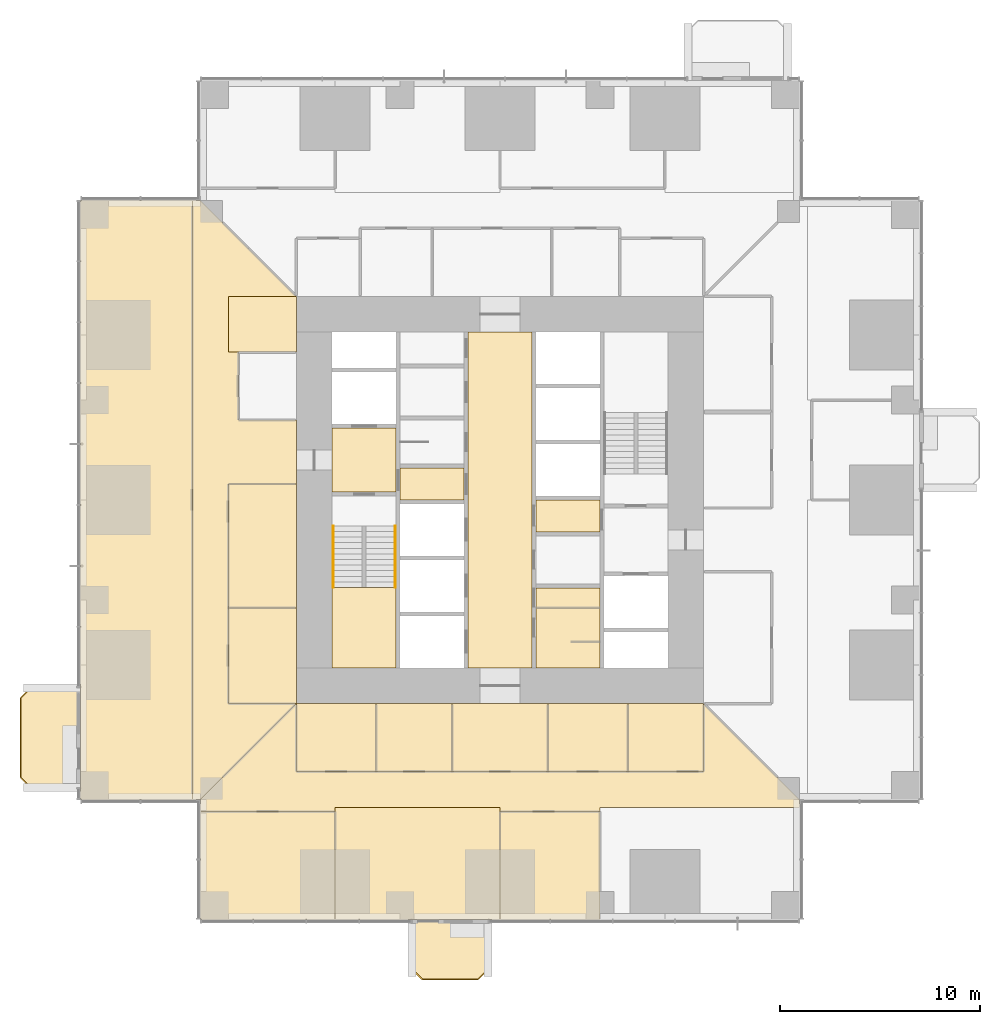
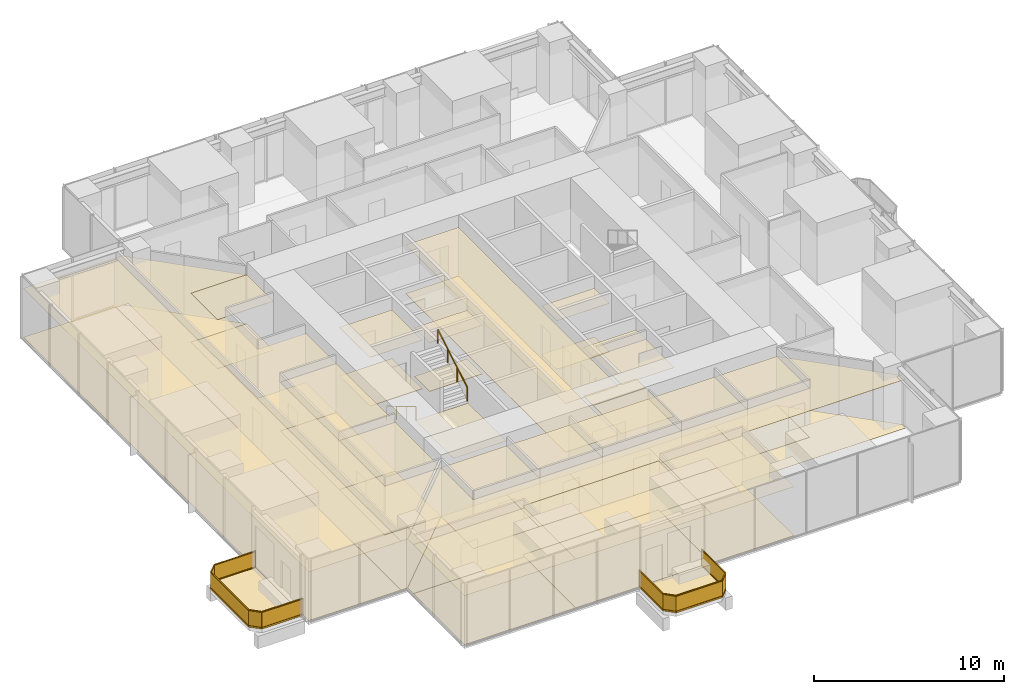
# One storey, part 15 of 18: 43 coverings, 4 railings.
"""IFC4 building model written with IfcOpenShell, lengths in metres."""

from ifc_helpers import new_model, si_unit, direction, frame, origin, origin_2d, place, context, subcontext, project, spatial, polyline, rectangle, circle, outline, extrude, material, layer, layer_set, type_object, element, save


model = new_model("IFC4")

# Units and contexts
model_context = context("Model", 3, precision=1e-05, world=origin(), true_north=direction((0.0, 1.0)))
body_context = subcontext(model_context, "Body", "Model", "MODEL_VIEW")
ifc_project = project(units=[si_unit("LENGTHUNIT", "METRE"), si_unit("AREAUNIT", "SQUARE_METRE"), si_unit("VOLUMEUNIT", "CUBIC_METRE"), si_unit("PLANEANGLEUNIT", "RADIAN"), si_unit("MASSUNIT", "GRAM", prefix="KILO")], contexts=[model_context])

# Site, building, storey
site_placement = place(None, origin())
site = spatial("IfcSite", under=ifc_project, at=site_placement, CompositionType="ELEMENT")
building_placement = place(site_placement, origin())
building = spatial("IfcBuilding", under=site, at=building_placement, Name="Svetlomir Tower", CompositionType="ELEMENT")
storey_placement = place(building_placement, frame((0.0, 0.0, 46.5)))
storey = spatial("IfcBuildingStorey", under=building, at=storey_placement, Name="L10", CompositionType="ELEMENT", Elevation=46.5)

# Railings
ifc_material_1 = material(Name="Bronze anodised aluminium and laminated glass", Category="aluminium")
railing_type_1 = type_object("IfcRailingType", Name="BALCONY GUARD GR1 1100", PredefinedType="GUARDRAIL", material=ifc_material_1)
railing_1_placement = place(storey_placement, frame((16.60009765625, 0.0, 0.0)))
element("IfcRailing", 1, at=railing_1_placement, inside=storey, type_object=railing_type_1, Name="Balcony guard S L10", PredefinedType="GUARDRAIL", context=body_context, shape_type="SweptSolid", body=[
    extrude(rectangle(XDim=0.06005859375, YDim=0.10009765625, at=origin_2d()), frame((0.0, 0.0, 0.050048828125), z_axis=(0.0, -1.0, 0.0), x_axis=(1.0, 0.0, 0.0)), (0.0, 0.0, 1.0), 2.5),
    extrude(rectangle(XDim=0.021484375, YDim=0.960205078125, at=origin_2d()), frame((0.0, 0.0, 0.580078125), z_axis=(0.0, -1.0, 0.0), x_axis=(1.0, 0.0, 0.0)), (0.0, 0.0, 1.0), 2.5),
    extrude(rectangle(XDim=0.06005859375, YDim=0.0400390625, at=origin_2d()), frame((0.0, 0.0, 1.080078125), z_axis=(0.0, -1.0, 0.0), x_axis=(1.0, 0.0, 0.0)), (0.0, 0.0, 1.0), 2.5),
    extrude(rectangle(XDim=0.06005859375, YDim=0.10009765625, at=origin_2d()), frame((0.0, -2.5, 0.050048828125), z_axis=(0.707106781187, -0.707106781187, 0.0), x_axis=(0.707106781187, 0.707106781187, 0.0)), (0.0, 0.0, 1.0), 0.70703125),
    extrude(rectangle(XDim=0.021484375, YDim=0.960205078125, at=origin_2d()), frame((0.0, -2.5, 0.580078125), z_axis=(0.707106781187, -0.707106781187, 0.0), x_axis=(0.707106781187, 0.707106781187, 0.0)), (0.0, 0.0, 1.0), 0.70703125),
    extrude(rectangle(XDim=0.06005859375, YDim=0.0400390625, at=origin_2d()), frame((0.0, -2.5, 1.080078125), z_axis=(0.707106781187, -0.707106781187, 0.0), x_axis=(0.707106781187, 0.707106781187, 0.0)), (0.0, 0.0, 1.0), 0.70703125),
    extrude(rectangle(XDim=0.06005859375, YDim=0.10009765625, at=origin_2d()), frame((0.5, -3.0, 0.050048828125), z_axis=(1.0, 0.0, 0.0), x_axis=(0.0, 1.0, 0.0)), (0.0, 0.0, 1.0), 2.7998046875),
    extrude(rectangle(XDim=0.021484375, YDim=0.960205078125, at=origin_2d()), frame((0.5, -3.0, 0.580078125), z_axis=(1.0, 0.0, 0.0), x_axis=(0.0, 1.0, 0.0)), (0.0, 0.0, 1.0), 2.7998046875),
    extrude(rectangle(XDim=0.06005859375, YDim=0.0400390625, at=origin_2d()), frame((0.5, -3.0, 1.080078125), z_axis=(1.0, 0.0, 0.0), x_axis=(0.0, 1.0, 0.0)), (0.0, 0.0, 1.0), 2.7998046875),
    extrude(rectangle(XDim=0.06005859375, YDim=0.10009765625, at=origin_2d()), frame((3.2998046875, -3.0, 0.050048828125), z_axis=(0.707106781187, 0.707106781187, 0.0), x_axis=(-0.707106781187, 0.707106781187, 0.0)), (0.0, 0.0, 1.0), 0.70703125),
    extrude(rectangle(XDim=0.021484375, YDim=0.960205078125, at=origin_2d()), frame((3.2998046875, -3.0, 0.580078125), z_axis=(0.707106781187, 0.707106781187, 0.0), x_axis=(-0.707106781187, 0.707106781187, 0.0)), (0.0, 0.0, 1.0), 0.70703125),
    extrude(rectangle(XDim=0.06005859375, YDim=0.0400390625, at=origin_2d()), frame((3.2998046875, -3.0, 1.080078125), z_axis=(0.707106781187, 0.707106781187, 0.0), x_axis=(-0.707106781187, 0.707106781187, 0.0)), (0.0, 0.0, 1.0), 0.70703125),
    extrude(rectangle(XDim=0.06005859375, YDim=0.10009765625, at=origin_2d()), frame((3.7998046875, -2.5, 0.050048828125), z_axis=(0.0, 1.0, 0.0), x_axis=(-1.0, 0.0, 0.0)), (0.0, 0.0, 1.0), 2.5),
    extrude(rectangle(XDim=0.021484375, YDim=0.960205078125, at=origin_2d()), frame((3.7998046875, -2.5, 0.580078125), z_axis=(0.0, 1.0, 0.0), x_axis=(-1.0, 0.0, 0.0)), (0.0, 0.0, 1.0), 2.5),
    extrude(rectangle(XDim=0.06005859375, YDim=0.0400390625, at=origin_2d()), frame((3.7998046875, -2.5, 1.080078125), z_axis=(0.0, 1.0, 0.0), x_axis=(-1.0, 0.0, 0.0)), (0.0, 0.0, 1.0), 2.5),
])
railing_2_placement = place(storey_placement, frame((0.0, 11.60009765625, 0.0)))
element("IfcRailing", 2, at=railing_2_placement, inside=storey, type_object=railing_type_1, Name="Balcony guard W L10", PredefinedType="GUARDRAIL", context=body_context, shape_type="SweptSolid", body=[
    extrude(rectangle(XDim=0.06005859375, YDim=0.10009765625, at=origin_2d()), frame((0.0, 0.0, 0.050048828125), z_axis=(-1.0, 0.0, 0.0), x_axis=(0.0, -1.0, 0.0)), (0.0, 0.0, 1.0), 2.5),
    extrude(rectangle(XDim=0.021484375, YDim=0.960205078125, at=origin_2d()), frame((0.0, 0.0, 0.580078125), z_axis=(-1.0, 0.0, 0.0), x_axis=(0.0, -1.0, 0.0)), (0.0, 0.0, 1.0), 2.5),
    extrude(rectangle(XDim=0.06005859375, YDim=0.0400390625, at=origin_2d()), frame((0.0, 0.0, 1.080078125), z_axis=(-1.0, 0.0, 0.0), x_axis=(0.0, -1.0, 0.0)), (0.0, 0.0, 1.0), 2.5),
    extrude(rectangle(XDim=0.06005859375, YDim=0.10009765625, at=origin_2d()), frame((-2.5, 0.0, 0.050048828125), z_axis=(-0.707106781187, -0.707106781187, 0.0), x_axis=(0.707106781187, -0.707106781187, 0.0)), (0.0, 0.0, 1.0), 0.70703125),
    extrude(rectangle(XDim=0.021484375, YDim=0.960205078125, at=origin_2d()), frame((-2.5, 0.0, 0.580078125), z_axis=(-0.707106781187, -0.707106781187, 0.0), x_axis=(0.707106781187, -0.707106781187, 0.0)), (0.0, 0.0, 1.0), 0.70703125),
    extrude(rectangle(XDim=0.06005859375, YDim=0.0400390625, at=origin_2d()), frame((-2.5, 0.0, 1.080078125), z_axis=(-0.707106781187, -0.707106781187, 0.0), x_axis=(0.707106781187, -0.707106781187, 0.0)), (0.0, 0.0, 1.0), 0.70703125),
    extrude(rectangle(XDim=0.06005859375, YDim=0.10009765625, at=origin_2d()), frame((-3.0, -0.5, 0.050048828125), z_axis=(0.0, -1.0, 0.0), x_axis=(1.0, 0.0, 0.0)), (0.0, 0.0, 1.0), 4.0),
    extrude(rectangle(XDim=0.021484375, YDim=0.960205078125, at=origin_2d()), frame((-3.0, -0.5, 0.580078125), z_axis=(0.0, -1.0, 0.0), x_axis=(1.0, 0.0, 0.0)), (0.0, 0.0, 1.0), 4.0),
    extrude(rectangle(XDim=0.06005859375, YDim=0.0400390625, at=origin_2d()), frame((-3.0, -0.5, 1.080078125), z_axis=(0.0, -1.0, 0.0), x_axis=(1.0, 0.0, 0.0)), (0.0, 0.0, 1.0), 4.0),
    extrude(rectangle(XDim=0.06005859375, YDim=0.10009765625, at=origin_2d()), frame((-3.0, -4.5, 0.050048828125), z_axis=(0.707106781187, -0.707106781187, 0.0), x_axis=(0.707106781187, 0.707106781187, 0.0)), (0.0, 0.0, 1.0), 0.70703125),
    extrude(rectangle(XDim=0.021484375, YDim=0.960205078125, at=origin_2d()), frame((-3.0, -4.5, 0.580078125), z_axis=(0.707106781187, -0.707106781187, 0.0), x_axis=(0.707106781187, 0.707106781187, 0.0)), (0.0, 0.0, 1.0), 0.70703125),
    extrude(rectangle(XDim=0.06005859375, YDim=0.0400390625, at=origin_2d()), frame((-3.0, -4.5, 1.080078125), z_axis=(0.707106781187, -0.707106781187, 0.0), x_axis=(0.707106781187, 0.707106781187, 0.0)), (0.0, 0.0, 1.0), 0.70703125),
    extrude(rectangle(XDim=0.06005859375, YDim=0.10009765625, at=origin_2d()), frame((-2.5, -5.0, 0.050048828125), z_axis=(1.0, 0.0, 0.0), x_axis=(0.0, 1.0, 0.0)), (0.0, 0.0, 1.0), 2.5),
    extrude(rectangle(XDim=0.021484375, YDim=0.960205078125, at=origin_2d()), frame((-2.5, -5.0, 0.580078125), z_axis=(1.0, 0.0, 0.0), x_axis=(0.0, 1.0, 0.0)), (0.0, 0.0, 1.0), 2.5),
    extrude(rectangle(XDim=0.06005859375, YDim=0.0400390625, at=origin_2d()), frame((-2.5, -5.0, 1.080078125), z_axis=(1.0, 0.0, 0.0), x_axis=(0.0, 1.0, 0.0)), (0.0, 0.0, 1.0), 2.5),
])

# Coverings
ifc_material_2 = material(Name="Granite paving slabs on pedestals", Category="masonry")
ifc_layer_1 = layer(ifc_material_2, 0.0400390625)
ifc_layer_set_1 = layer_set([ifc_layer_1], Name="Granite paving slabs on pedestals")
covering_type_1 = type_object("IfcCoveringType", Name="BALCONY PAVING 40", PredefinedType="USERDEFINED", material=ifc_layer_set_1)
covering_1_placement = place(storey_placement, origin())
element("IfcCovering", 3, at=covering_1_placement, inside=storey, type_object=covering_type_1, Name="Balcony paving S L10", ObjectType="BALCONY PAVING", PredefinedType="USERDEFINED", context=body_context, shape_type="SweptSolid", body=[
    extrude(outline(polyline([(16.60009765625, -2.5), (17.10009765625, -3.0), (19.89990234375, -3.0), (20.39990234375, -2.5), (20.39990234375, 0.0), (16.60009765625, 0.0), (16.60009765625, -2.5)])), origin(), (0.0, 0.0, 1.0), 0.0400390625),
])
covering_2_placement = place(storey_placement, origin())
element("IfcCovering", 4, at=covering_2_placement, inside=storey, type_object=covering_type_1, Name="Balcony paving W L10", ObjectType="BALCONY PAVING", PredefinedType="USERDEFINED", context=body_context, shape_type="SweptSolid", body=[
    extrude(outline(polyline([(-2.5, 6.60009765625), (0.0, 6.60009765625), (0.0, 11.60009765625), (-2.5, 11.60009765625), (-3.0, 11.10009765625), (-3.0, 7.10009765625), (-2.5, 6.60009765625)])), origin(), (0.0, 0.0, 1.0), 0.0400390625),
])
ifc_material_3 = material(Name="Carpet tile", Category="textile")
ifc_layer_2 = layer(ifc_material_3, 0.010009765625)
ifc_layer_set_2 = layer_set([ifc_layer_2], Name="Carpet tile")
covering_type_2 = type_object("IfcCoveringType", Name="CARPET TILE FLOOR 10", PredefinedType="FLOORING", material=ifc_layer_set_2)
covering_3_placement = place(storey_placement, origin())
element("IfcCovering", 5, at=covering_3_placement, inside=storey, type_object=covering_type_2, Name="Floor finish L10-14", PredefinedType="FLOORING", context=body_context, shape_type="SweptSolid", body=[
    extrude(outline(polyline([(10.800048828125, 7.39990234375), (14.800048828125, 7.39990234375), (14.800048828125, 10.800048828125), (10.800048828125, 10.800048828125), (10.800048828125, 7.39990234375)])), origin(), (0.0, 0.0, 1.0), 0.010009765625),
])
covering_4_placement = place(storey_placement, origin())
element("IfcCovering", 6, at=covering_4_placement, inside=storey, type_object=covering_type_2, Name="Floor finish L10-15", PredefinedType="FLOORING", context=body_context, shape_type="SweptSolid", body=[
    extrude(outline(polyline([(14.800048828125, 7.39990234375), (18.60009765625, 7.39990234375), (18.60009765625, 10.800048828125), (14.800048828125, 10.800048828125), (14.800048828125, 7.39990234375)])), origin(), (0.0, 0.0, 1.0), 0.010009765625),
])
covering_5_placement = place(storey_placement, origin())
element("IfcCovering", 7, at=covering_5_placement, inside=storey, type_object=covering_type_2, Name="Floor finish L10-16", PredefinedType="FLOORING", context=body_context, shape_type="SweptSolid", body=[
    extrude(outline(polyline([(23.39990234375, 7.39990234375), (27.39990234375, 7.39990234375), (27.39990234375, 10.800048828125), (23.39990234375, 10.800048828125), (23.39990234375, 7.39990234375)])), origin(), (0.0, 0.0, 1.0), 0.010009765625),
])
covering_6_placement = place(storey_placement, origin())
element("IfcCovering", 8, at=covering_6_placement, inside=storey, type_object=covering_type_2, Name="Floor finish L10-17", PredefinedType="FLOORING", context=body_context, shape_type="SweptSolid", body=[
    extrude(outline(polyline([(6.0, 0.0), (12.75, 0.0), (12.75, 5.39990234375), (6.0, 5.39990234375), (6.0, 0.0)])), origin(), (0.0, 0.0, 1.0), 0.010009765625),
])
covering_7_placement = place(storey_placement, origin())
element("IfcCovering", 9, at=covering_7_placement, inside=storey, type_object=covering_type_2, Name="Floor finish L10-18", PredefinedType="FLOORING", context=body_context, shape_type="SweptSolid", body=[
    extrude(outline(polyline([(21.0, 0.0), (26.0, 0.0), (26.0, 5.39990234375), (21.0, 5.39990234375), (21.0, 0.0)])), origin(), (0.0, 0.0, 1.0), 0.010009765625),
])
covering_8_placement = place(storey_placement, origin())
element("IfcCovering", 10, at=covering_8_placement, inside=storey, type_object=covering_type_2, Name="Floor finish L10-29", PredefinedType="FLOORING", context=body_context, shape_type="SweptSolid", body=[
    extrude(outline(polyline([(7.39990234375, 10.800048828125), (10.800048828125, 10.800048828125), (10.800048828125, 15.60009765625), (7.39990234375, 15.60009765625), (7.39990234375, 10.800048828125)])), origin(), (0.0, 0.0, 1.0), 0.010009765625),
])
covering_9_placement = place(storey_placement, origin())
element("IfcCovering", 11, at=covering_9_placement, inside=storey, type_object=covering_type_2, Name="Floor finish L10-31", PredefinedType="FLOORING", context=body_context, shape_type="SweptSolid", body=[
    extrude(outline(polyline([(6.0, 6.0), (10.800048828125, 10.800048828125), (10.800048828125, 7.39990234375), (31.199951171875, 7.39990234375), (31.199951171875, 10.800048828125), (36.0, 6.0), (36.0, 5.60009765625), (26.0, 5.60009765625), (26.0, 5.39990234375), (21.0, 5.39990234375), (21.0, 5.60009765625), (12.75, 5.60009765625), (12.75, 5.39990234375), (6.0, 5.39990234375), (6.0, 6.0)])), origin(), (0.0, 0.0, 1.0), 0.010009765625),
])
covering_10_placement = place(storey_placement, origin())
element("IfcCovering", 12, at=covering_10_placement, inside=storey, type_object=covering_type_2, Name="Floor finish L10-34", PredefinedType="FLOORING", context=body_context, shape_type="SweptSolid", body=[
    extrude(outline(polyline([(5.60009765625, 6.0), (5.60009765625, 36.0), (6.0, 36.0), (10.800048828125, 31.199951171875), (7.39990234375, 31.199951171875), (7.39990234375, 28.39990234375), (7.89990234375, 28.39990234375), (7.89990234375, 25.0), (10.800048828125, 25.0), (10.800048828125, 21.800048828125), (7.39990234375, 21.800048828125), (7.39990234375, 10.800048828125), (10.800048828125, 10.800048828125), (6.0, 6.0), (5.60009765625, 6.0)])), origin(), (0.0, 0.0, 1.0), 0.010009765625),
])
covering_11_placement = place(storey_placement, origin())
element("IfcCovering", 13, at=covering_11_placement, inside=storey, type_object=covering_type_2, Name="Floor finish L10-35", PredefinedType="FLOORING", context=body_context, shape_type="SweptSolid", body=[
    extrude(outline(polyline([(12.75, 5.60009765625), (21.0, 5.60009765625), (21.0, 0.0), (12.75, 0.0), (12.75, 5.60009765625)])), origin(), (0.0, 0.0, 1.0), 0.010009765625),
])
covering_12_placement = place(storey_placement, origin())
element("IfcCovering", 14, at=covering_12_placement, inside=storey, type_object=covering_type_2, Name="Floor finish L10-37", PredefinedType="FLOORING", context=body_context, shape_type="SweptSolid", body=[
    extrude(outline(polyline([(23.39990234375, 10.800048828125), (23.39990234375, 7.39990234375), (18.60009765625, 7.39990234375), (18.60009765625, 10.800048828125), (23.39990234375, 10.800048828125)])), origin(), (0.0, 0.0, 1.0), 0.010009765625),
])
covering_13_placement = place(storey_placement, origin())
element("IfcCovering", 15, at=covering_13_placement, inside=storey, type_object=covering_type_2, Name="Floor finish L10-38", PredefinedType="FLOORING", context=body_context, shape_type="SweptSolid", body=[
    extrude(outline(polyline([(31.199951171875, 10.800048828125), (31.199951171875, 7.39990234375), (27.39990234375, 7.39990234375), (27.39990234375, 10.800048828125), (31.199951171875, 10.800048828125)])), origin(), (0.0, 0.0, 1.0), 0.010009765625),
])
covering_14_placement = place(storey_placement, origin())
element("IfcCovering", 16, at=covering_14_placement, inside=storey, type_object=covering_type_2, Name="Floor finish L10-44", PredefinedType="FLOORING", context=body_context, shape_type="SweptSolid", body=[
    extrude(outline(polyline([(0.0, 36.0), (5.60009765625, 36.0), (5.60009765625, 6.0), (0.0, 6.0), (0.0, 36.0)])), origin(), (0.0, 0.0, 1.0), 0.010009765625),
])
covering_15_placement = place(storey_placement, origin())
element("IfcCovering", 17, at=covering_15_placement, inside=storey, type_object=covering_type_2, Name="Floor finish L10-45", PredefinedType="FLOORING", context=body_context, shape_type="SweptSolid", body=[
    extrude(outline(polyline([(7.39990234375, 28.39990234375), (7.39990234375, 31.199951171875), (10.800048828125, 31.199951171875), (10.800048828125, 28.39990234375), (7.39990234375, 28.39990234375)])), origin(), (0.0, 0.0, 1.0), 0.010009765625),
])
covering_16_placement = place(storey_placement, origin())
element("IfcCovering", 18, at=covering_16_placement, inside=storey, type_object=covering_type_2, Name="Floor finish L10-46", PredefinedType="FLOORING", context=body_context, shape_type="SweptSolid", body=[
    extrude(outline(polyline([(7.39990234375, 15.60009765625), (7.39990234375, 21.800048828125), (10.800048828125, 21.800048828125), (10.800048828125, 15.60009765625), (7.39990234375, 15.60009765625)])), origin(), (0.0, 0.0, 1.0), 0.010009765625),
])
ifc_material_4 = material(Name="Ceramic floor tile", Category="ceramic")
ifc_layer_3 = layer(ifc_material_4, 0.014892578125)
ifc_layer_set_3 = layer_set([ifc_layer_3], Name="Ceramic floor tile")
covering_type_3 = type_object("IfcCoveringType", Name="CERAMIC TILE FLOOR 15", PredefinedType="FLOORING", material=ifc_layer_set_3)
covering_17_placement = place(storey_placement, origin())
element("IfcCovering", 19, at=covering_17_placement, inside=storey, type_object=covering_type_3, Name="Floor finish L10-08", PredefinedType="FLOORING", context=body_context, shape_type="SweptSolid", body=[
    extrude(outline(polyline([(22.800048828125, 15.60009765625), (26.0, 15.60009765625), (26.0, 16.60009765625), (22.800048828125, 16.60009765625), (22.800048828125, 15.60009765625)])), origin(), (0.0, 0.0, 1.0), 0.014892578125),
])
covering_18_placement = place(storey_placement, origin())
element("IfcCovering", 20, at=covering_18_placement, inside=storey, type_object=covering_type_3, Name="Floor finish L10-09", PredefinedType="FLOORING", context=body_context, shape_type="SweptSolid", body=[
    extrude(outline(polyline([(22.800048828125, 12.60009765625), (26.0, 12.60009765625), (26.0, 15.60009765625), (22.800048828125, 15.60009765625), (22.800048828125, 12.60009765625)])), origin(), (0.0, 0.0, 1.0), 0.014892578125),
])

# Railings
ifc_material_5 = material(Name="Stainless steel", Category="steel")
railing_type_2 = type_object("IfcRailingType", Name="HANDRAIL HR1 900", PredefinedType="HANDRAIL", material=ifc_material_5)
railing_3_placement = place(storey_placement, frame((12.64990234375, 19.699951171875, 0.166748046875)))
element("IfcRailing", 21, at=railing_3_placement, inside=storey, type_object=railing_type_2, Name="Handrail S1 flight 1 L10", PredefinedType="HANDRAIL", context=body_context, shape_type="SweptSolid", body=[
    extrude(circle(Radius=0.02392578125, at=origin_2d()), frame((0.0, 0.0, 0.8759765625), z_axis=(0.0, -0.859290745958, 0.51148745235), x_axis=(1.0, 0.0, 0.0)), (0.0, 0.0, 1.0), 3.584228515625),
    extrude(circle(Radius=0.02099609375, at=origin_2d()), origin(), (0.0, 0.0, 1.0), 0.851806640625),
    extrude(circle(Radius=0.02099609375, at=origin_2d()), frame((0.0, -1.026611328125, 0.611083984375)), (0.0, 0.0, 1.0), 0.851806640625),
    extrude(circle(Radius=0.02099609375, at=origin_2d()), frame((0.0, -2.05322265625, 1.22216796875)), (0.0, 0.0, 1.0), 0.851806640625),
    extrude(circle(Radius=0.02099609375, at=origin_2d()), frame((0.0, -3.079833984375, 1.833251953125)), (0.0, 0.0, 1.0), 0.851806640625),
])
railing_4_placement = place(storey_placement, frame((15.75, 16.6201171875, 2.166748046875)))
element("IfcRailing", 22, at=railing_4_placement, inside=storey, type_object=railing_type_2, Name="Handrail S1 flight 2 L10", PredefinedType="HANDRAIL", context=body_context, shape_type="SweptSolid", body=[
    extrude(circle(Radius=0.02392578125, at=origin_2d()), frame((0.0, 0.0, 0.8759765625), z_axis=(0.0, 0.859290745958, 0.51148745235), x_axis=(-1.0, 0.0, 0.0)), (0.0, 0.0, 1.0), 3.584228515625),
    extrude(circle(Radius=0.02099609375, at=origin_2d()), origin(), (0.0, 0.0, 1.0), 0.851806640625),
    extrude(circle(Radius=0.02099609375, at=origin_2d()), frame((0.0, 1.026611328125, 0.611083984375)), (0.0, 0.0, 1.0), 0.851806640625),
    extrude(circle(Radius=0.02099609375, at=origin_2d()), frame((0.0, 2.05322265625, 1.22216796875)), (0.0, 0.0, 1.0), 0.851806640625),
    extrude(circle(Radius=0.02099609375, at=origin_2d()), frame((0.0, 3.079833984375, 1.833251953125)), (0.0, 0.0, 1.0), 0.851806640625),
])

# Coverings
ifc_material_6 = material(Name="Moisture resistant plasterboard ceiling", Category="gypsum")
ifc_layer_4 = layer(ifc_material_6, 0.012451171875)
ifc_layer_set_4 = layer_set([ifc_layer_4], Name="Moisture resistant plasterboard ceiling")
covering_type_4 = type_object("IfcCoveringType", Name="MOISTURE RESISTANT CEILING 12.5", PredefinedType="CEILING", material=ifc_layer_set_4)
covering_19_placement = place(storey_placement, frame((0.0, 0.0, 3.137451171875)))
element("IfcCovering", 23, at=covering_19_placement, inside=storey, type_object=covering_type_4, Name="Ceiling L10-08", PredefinedType="CEILING", context=body_context, shape_type="SweptSolid", body=[
    extrude(outline(polyline([(22.800048828125, 15.60009765625), (26.0, 15.60009765625), (26.0, 16.60009765625), (22.800048828125, 16.60009765625), (22.800048828125, 15.60009765625)])), origin(), (0.0, 0.0, 1.0), 0.012451171875),
])
covering_20_placement = place(storey_placement, frame((0.0, 0.0, 3.137451171875)))
element("IfcCovering", 24, at=covering_20_placement, inside=storey, type_object=covering_type_4, Name="Ceiling L10-09", PredefinedType="CEILING", context=body_context, shape_type="SweptSolid", body=[
    extrude(outline(polyline([(22.800048828125, 12.60009765625), (26.0, 12.60009765625), (26.0, 15.60009765625), (22.800048828125, 15.60009765625), (22.800048828125, 12.60009765625)])), origin(), (0.0, 0.0, 1.0), 0.012451171875),
])
ifc_material_7 = material(Name="Gypsum plasterboard ceiling", Category="gypsum")
ifc_layer_5 = layer(ifc_material_7, 0.014892578125)
ifc_layer_set_5 = layer_set([ifc_layer_5], Name="Gypsum plasterboard ceiling")
covering_type_5 = type_object("IfcCoveringType", Name="PLASTERBOARD CEILING 15", PredefinedType="CEILING", material=ifc_layer_set_5)
covering_21_placement = place(storey_placement, frame((0.0, 0.0, 3.135009765625)))
element("IfcCovering", 25, at=covering_21_placement, inside=storey, type_object=covering_type_5, Name="Ceiling L10-02", PredefinedType="CEILING", context=body_context, shape_type="SweptSolid", body=[
    extrude(outline(polyline([(12.60009765625, 21.39990234375), (15.800048828125, 21.39990234375), (15.800048828125, 24.60009765625), (12.60009765625, 24.60009765625), (12.60009765625, 21.39990234375)])), origin(), (0.0, 0.0, 1.0), 0.014892578125),
])
covering_22_placement = place(storey_placement, frame((0.0, 0.0, 3.135009765625)))
element("IfcCovering", 26, at=covering_22_placement, inside=storey, type_object=covering_type_5, Name="Ceiling L10-03", PredefinedType="CEILING", context=body_context, shape_type="SweptSolid", body=[
    extrude(outline(polyline([(16.0, 21.0), (19.199951171875, 21.0), (19.199951171875, 22.60009765625), (16.0, 22.60009765625), (16.0, 21.0)])), origin(), (0.0, 0.0, 1.0), 0.014892578125),
])
covering_23_placement = place(storey_placement, frame((0.0, 0.0, 3.135009765625)))
element("IfcCovering", 27, at=covering_23_placement, inside=storey, type_object=covering_type_5, Name="Ceiling L10-07", PredefinedType="CEILING", context=body_context, shape_type="SweptSolid", body=[
    extrude(outline(polyline([(19.39990234375, 12.60009765625), (22.60009765625, 12.60009765625), (22.60009765625, 29.39990234375), (19.39990234375, 29.39990234375), (19.39990234375, 12.60009765625)])), origin(), (0.0, 0.0, 1.0), 0.014892578125),
])
covering_24_placement = place(storey_placement, frame((0.0, 0.0, 3.135009765625)))
element("IfcCovering", 28, at=covering_24_placement, inside=storey, type_object=covering_type_5, Name="Ceiling L10-11", PredefinedType="CEILING", context=body_context, shape_type="SweptSolid", body=[
    extrude(outline(polyline([(22.800048828125, 19.39990234375), (26.0, 19.39990234375), (26.0, 21.0), (22.800048828125, 21.0), (22.800048828125, 19.39990234375)])), origin(), (0.0, 0.0, 1.0), 0.014892578125),
])
ifc_material_8 = material(Name="Studded rubber floor finish", Category="rubber")
ifc_layer_6 = layer(ifc_material_8, 0.006103515625)
ifc_layer_set_6 = layer_set([ifc_layer_6], Name="Studded rubber floor finish")
covering_type_6 = type_object("IfcCoveringType", Name="RUBBER LANDING FINISH 6", PredefinedType="FLOORING", material=ifc_layer_set_6)
covering_25_placement = place(storey_placement, frame((0.0, 0.0, 2.0)))
element("IfcCovering", 29, at=covering_25_placement, inside=storey, type_object=covering_type_6, Name="Stair S1 landing finish L10", PredefinedType="FLOORING", context=body_context, shape_type="SweptSolid", body=[
    extrude(outline(polyline([(12.60009765625, 12.60009765625), (15.800048828125, 12.60009765625), (15.800048828125, 16.6201171875), (12.60009765625, 16.6201171875), (12.60009765625, 12.60009765625)])), origin(), (0.0, 0.0, 1.0), 0.006103515625),
])
ifc_material_9 = material(Name="Mineral fibre ceiling tile", Category="mineral")
ifc_layer_7 = layer(ifc_material_9, 0.02001953125)
ifc_layer_set_7 = layer_set([ifc_layer_7], Name="Mineral fibre ceiling tile")
covering_type_7 = type_object("IfcCoveringType", Name="SUSPENDED CEILING 20", PredefinedType="CEILING", material=ifc_layer_set_7)
covering_26_placement = place(storey_placement, frame((0.0, 0.0, 3.1298828125)))
element("IfcCovering", 30, at=covering_26_placement, inside=storey, type_object=covering_type_7, Name="Ceiling L10-14", PredefinedType="CEILING", context=body_context, shape_type="SweptSolid", body=[
    extrude(outline(polyline([(10.800048828125, 7.39990234375), (14.800048828125, 7.39990234375), (14.800048828125, 10.800048828125), (10.800048828125, 10.800048828125), (10.800048828125, 7.39990234375)])), origin(), (0.0, 0.0, 1.0), 0.02001953125),
])
covering_27_placement = place(storey_placement, frame((0.0, 0.0, 3.1298828125)))
element("IfcCovering", 31, at=covering_27_placement, inside=storey, type_object=covering_type_7, Name="Ceiling L10-15", PredefinedType="CEILING", context=body_context, shape_type="SweptSolid", body=[
    extrude(outline(polyline([(14.800048828125, 7.39990234375), (18.60009765625, 7.39990234375), (18.60009765625, 10.800048828125), (14.800048828125, 10.800048828125), (14.800048828125, 7.39990234375)])), origin(), (0.0, 0.0, 1.0), 0.02001953125),
])
covering_28_placement = place(storey_placement, frame((0.0, 0.0, 3.1298828125)))
element("IfcCovering", 32, at=covering_28_placement, inside=storey, type_object=covering_type_7, Name="Ceiling L10-16", PredefinedType="CEILING", context=body_context, shape_type="SweptSolid", body=[
    extrude(outline(polyline([(23.39990234375, 7.39990234375), (27.39990234375, 7.39990234375), (27.39990234375, 10.800048828125), (23.39990234375, 10.800048828125), (23.39990234375, 7.39990234375)])), origin(), (0.0, 0.0, 1.0), 0.02001953125),
])
covering_29_placement = place(storey_placement, frame((0.0, 0.0, 3.1298828125)))
element("IfcCovering", 33, at=covering_29_placement, inside=storey, type_object=covering_type_7, Name="Ceiling L10-17", PredefinedType="CEILING", context=body_context, shape_type="SweptSolid", body=[
    extrude(outline(polyline([(6.0, 0.0), (12.75, 0.0), (12.75, 5.39990234375), (6.0, 5.39990234375), (6.0, 0.0)])), origin(), (0.0, 0.0, 1.0), 0.02001953125),
])
covering_30_placement = place(storey_placement, frame((0.0, 0.0, 3.1298828125)))
element("IfcCovering", 34, at=covering_30_placement, inside=storey, type_object=covering_type_7, Name="Ceiling L10-18", PredefinedType="CEILING", context=body_context, shape_type="SweptSolid", body=[
    extrude(outline(polyline([(21.0, 0.0), (26.0, 0.0), (26.0, 5.39990234375), (21.0, 5.39990234375), (21.0, 0.0)])), origin(), (0.0, 0.0, 1.0), 0.02001953125),
])
covering_31_placement = place(storey_placement, frame((0.0, 0.0, 3.1298828125)))
element("IfcCovering", 35, at=covering_31_placement, inside=storey, type_object=covering_type_7, Name="Ceiling L10-29", PredefinedType="CEILING", context=body_context, shape_type="SweptSolid", body=[
    extrude(outline(polyline([(7.39990234375, 10.800048828125), (10.800048828125, 10.800048828125), (10.800048828125, 15.60009765625), (7.39990234375, 15.60009765625), (7.39990234375, 10.800048828125)])), origin(), (0.0, 0.0, 1.0), 0.02001953125),
])
covering_32_placement = place(storey_placement, frame((0.0, 0.0, 3.1298828125)))
element("IfcCovering", 36, at=covering_32_placement, inside=storey, type_object=covering_type_7, Name="Ceiling L10-31", PredefinedType="CEILING", context=body_context, shape_type="SweptSolid", body=[
    extrude(outline(polyline([(6.0, 6.0), (10.800048828125, 10.800048828125), (10.800048828125, 7.39990234375), (31.199951171875, 7.39990234375), (31.199951171875, 10.800048828125), (36.0, 6.0), (36.0, 5.60009765625), (26.0, 5.60009765625), (26.0, 5.39990234375), (21.0, 5.39990234375), (21.0, 5.60009765625), (12.75, 5.60009765625), (12.75, 5.39990234375), (6.0, 5.39990234375), (6.0, 6.0)])), origin(), (0.0, 0.0, 1.0), 0.02001953125),
])
covering_33_placement = place(storey_placement, frame((0.0, 0.0, 3.1298828125)))
element("IfcCovering", 37, at=covering_33_placement, inside=storey, type_object=covering_type_7, Name="Ceiling L10-34", PredefinedType="CEILING", context=body_context, shape_type="SweptSolid", body=[
    extrude(outline(polyline([(5.60009765625, 6.0), (5.60009765625, 36.0), (6.0, 36.0), (10.800048828125, 31.199951171875), (7.39990234375, 31.199951171875), (7.39990234375, 28.39990234375), (7.89990234375, 28.39990234375), (7.89990234375, 25.0), (10.800048828125, 25.0), (10.800048828125, 21.800048828125), (7.39990234375, 21.800048828125), (7.39990234375, 10.800048828125), (10.800048828125, 10.800048828125), (6.0, 6.0), (5.60009765625, 6.0)])), origin(), (0.0, 0.0, 1.0), 0.02001953125),
])
covering_34_placement = place(storey_placement, frame((0.0, 0.0, 3.1298828125)))
element("IfcCovering", 38, at=covering_34_placement, inside=storey, type_object=covering_type_7, Name="Ceiling L10-35", PredefinedType="CEILING", context=body_context, shape_type="SweptSolid", body=[
    extrude(outline(polyline([(12.75, 5.60009765625), (21.0, 5.60009765625), (21.0, 0.0), (12.75, 0.0), (12.75, 5.60009765625)])), origin(), (0.0, 0.0, 1.0), 0.02001953125),
])
covering_35_placement = place(storey_placement, frame((0.0, 0.0, 3.1298828125)))
element("IfcCovering", 39, at=covering_35_placement, inside=storey, type_object=covering_type_7, Name="Ceiling L10-37", PredefinedType="CEILING", context=body_context, shape_type="SweptSolid", body=[
    extrude(outline(polyline([(23.39990234375, 10.800048828125), (23.39990234375, 7.39990234375), (18.60009765625, 7.39990234375), (18.60009765625, 10.800048828125), (23.39990234375, 10.800048828125)])), origin(), (0.0, 0.0, 1.0), 0.02001953125),
])
covering_36_placement = place(storey_placement, frame((0.0, 0.0, 3.1298828125)))
element("IfcCovering", 40, at=covering_36_placement, inside=storey, type_object=covering_type_7, Name="Ceiling L10-38", PredefinedType="CEILING", context=body_context, shape_type="SweptSolid", body=[
    extrude(outline(polyline([(31.199951171875, 10.800048828125), (31.199951171875, 7.39990234375), (27.39990234375, 7.39990234375), (27.39990234375, 10.800048828125), (31.199951171875, 10.800048828125)])), origin(), (0.0, 0.0, 1.0), 0.02001953125),
])
covering_37_placement = place(storey_placement, frame((0.0, 0.0, 3.1298828125)))
element("IfcCovering", 41, at=covering_37_placement, inside=storey, type_object=covering_type_7, Name="Ceiling L10-44", PredefinedType="CEILING", context=body_context, shape_type="SweptSolid", body=[
    extrude(outline(polyline([(0.0, 36.0), (5.60009765625, 36.0), (5.60009765625, 6.0), (0.0, 6.0), (0.0, 36.0)])), origin(), (0.0, 0.0, 1.0), 0.02001953125),
])
covering_38_placement = place(storey_placement, frame((0.0, 0.0, 3.1298828125)))
element("IfcCovering", 42, at=covering_38_placement, inside=storey, type_object=covering_type_7, Name="Ceiling L10-45", PredefinedType="CEILING", context=body_context, shape_type="SweptSolid", body=[
    extrude(outline(polyline([(7.39990234375, 28.39990234375), (7.39990234375, 31.199951171875), (10.800048828125, 31.199951171875), (10.800048828125, 28.39990234375), (7.39990234375, 28.39990234375)])), origin(), (0.0, 0.0, 1.0), 0.02001953125),
])
covering_39_placement = place(storey_placement, frame((0.0, 0.0, 3.1298828125)))
element("IfcCovering", 43, at=covering_39_placement, inside=storey, type_object=covering_type_7, Name="Ceiling L10-46", PredefinedType="CEILING", context=body_context, shape_type="SweptSolid", body=[
    extrude(outline(polyline([(7.39990234375, 15.60009765625), (7.39990234375, 21.800048828125), (10.800048828125, 21.800048828125), (10.800048828125, 15.60009765625), (7.39990234375, 15.60009765625)])), origin(), (0.0, 0.0, 1.0), 0.02001953125),
])
ifc_material_10 = material(Name="Bronze-aggregate terrazzo", Category="stone")
ifc_layer_8 = layer(ifc_material_10, 0.030029296875)
ifc_layer_set_8 = layer_set([ifc_layer_8], Name="Bronze-aggregate terrazzo")
covering_type_8 = type_object("IfcCoveringType", Name="TERRAZZO FLOOR 30", PredefinedType="FLOORING", material=ifc_layer_set_8)
covering_40_placement = place(storey_placement, origin())
element("IfcCovering", 44, at=covering_40_placement, inside=storey, type_object=covering_type_8, Name="Floor finish L10-02", PredefinedType="FLOORING", context=body_context, shape_type="SweptSolid", body=[
    extrude(outline(polyline([(12.60009765625, 21.39990234375), (15.800048828125, 21.39990234375), (15.800048828125, 24.60009765625), (12.60009765625, 24.60009765625), (12.60009765625, 21.39990234375)])), origin(), (0.0, 0.0, 1.0), 0.030029296875),
])
covering_41_placement = place(storey_placement, origin())
element("IfcCovering", 45, at=covering_41_placement, inside=storey, type_object=covering_type_8, Name="Floor finish L10-03", PredefinedType="FLOORING", context=body_context, shape_type="SweptSolid", body=[
    extrude(outline(polyline([(16.0, 21.0), (19.199951171875, 21.0), (19.199951171875, 22.60009765625), (16.0, 22.60009765625), (16.0, 21.0)])), origin(), (0.0, 0.0, 1.0), 0.030029296875),
])
covering_42_placement = place(storey_placement, origin())
element("IfcCovering", 46, at=covering_42_placement, inside=storey, type_object=covering_type_8, Name="Floor finish L10-07", PredefinedType="FLOORING", context=body_context, shape_type="SweptSolid", body=[
    extrude(outline(polyline([(19.39990234375, 12.60009765625), (22.60009765625, 12.60009765625), (22.60009765625, 29.39990234375), (19.39990234375, 29.39990234375), (19.39990234375, 12.60009765625)])), origin(), (0.0, 0.0, 1.0), 0.030029296875),
])
covering_43_placement = place(storey_placement, origin())
element("IfcCovering", 47, at=covering_43_placement, inside=storey, type_object=covering_type_8, Name="Floor finish L10-11", PredefinedType="FLOORING", context=body_context, shape_type="SweptSolid", body=[
    extrude(outline(polyline([(22.800048828125, 19.39990234375), (26.0, 19.39990234375), (26.0, 21.0), (22.800048828125, 21.0), (22.800048828125, 19.39990234375)])), origin(), (0.0, 0.0, 1.0), 0.030029296875),
])

save(model, "model.ifc")
